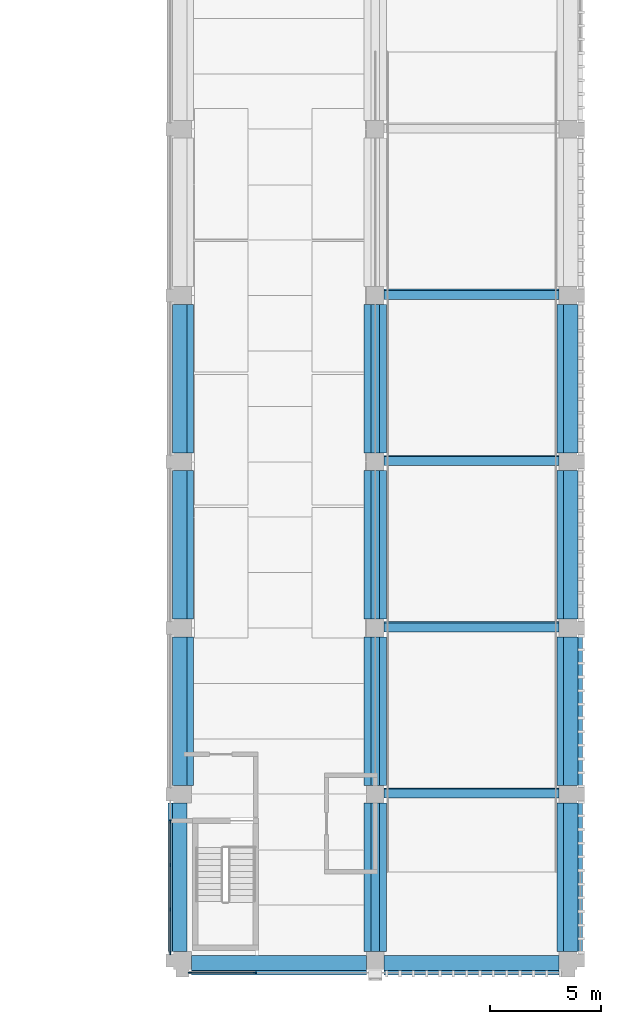
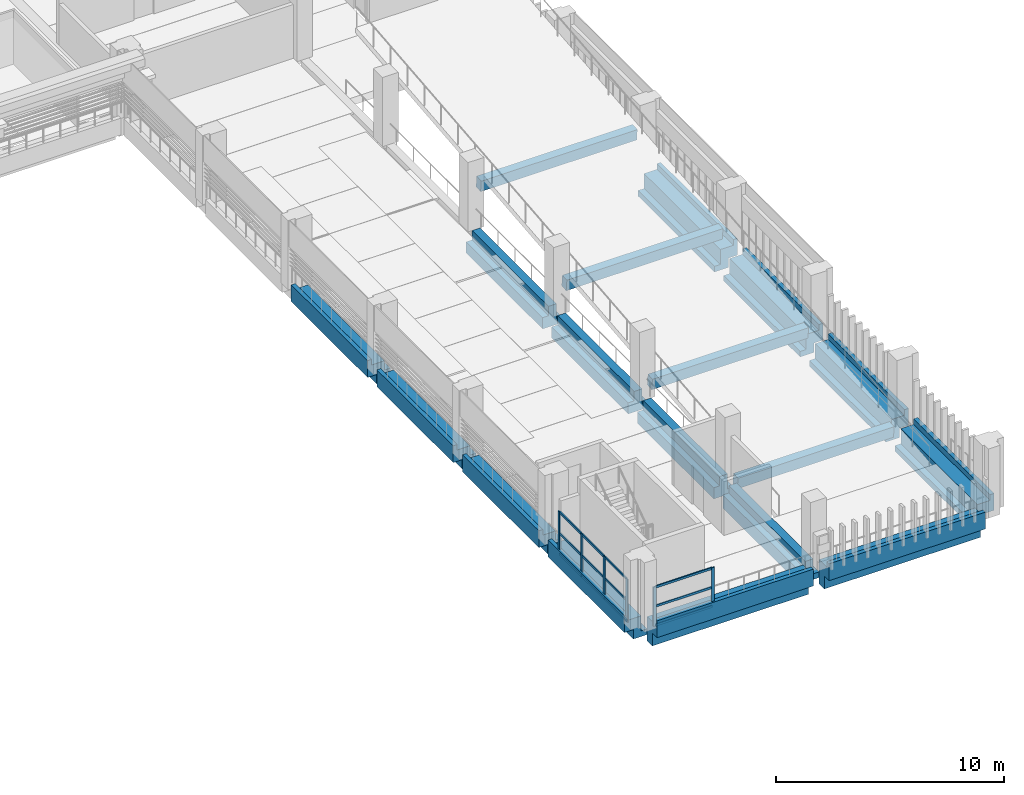
# One storey, part 15 of 71: 18 beams, 18 members, 2 elements without a shape of their own.
"""IFC4 building model written with IfcOpenShell, lengths in metres."""

from ifc_helpers import new_model, si_unit, direction, frame, origin, origin_2d, place, context, subcontext, project, spatial, polyline, rectangle, outline, extrude, material, layer, layer_set, material_profile, profile_set, type_object, element, aggregate, save


model = new_model("IFC4")

# Units and contexts
model_context = context("Model", 3, precision=1e-05, world=origin(), true_north=direction((0.0, 1.0)))
body_context = subcontext(model_context, "Body", "Model", "MODEL_VIEW")
ifc_project = project(units=[si_unit("LENGTHUNIT", "METRE"), si_unit("AREAUNIT", "SQUARE_METRE"), si_unit("VOLUMEUNIT", "CUBIC_METRE"), si_unit("PLANEANGLEUNIT", "RADIAN"), si_unit("MASSUNIT", "GRAM", prefix="KILO")], contexts=[model_context])

# Site, building, storey
site_placement = place(None, origin())
site = spatial("IfcSite", under=ifc_project, at=site_placement, CompositionType="ELEMENT")
building_placement = place(site_placement, origin())
building = spatial("IfcBuilding", under=site, at=building_placement, Name="Cour d'Honneur Mobility Palace", CompositionType="ELEMENT")
storey_placement = place(building_placement, frame((0.0, 0.0, 15.60009765625)))
storey = spatial("IfcBuildingStorey", under=building, at=storey_placement, Name="L04", CompositionType="ELEMENT", Elevation=15.60009765625)

# Curtain wall, members
ifc_material_1 = material(Name="Aluminium and glass", Category="aluminium")
ifc_layer = layer(ifc_material_1, 0.10009765625)
ifc_layer_set = layer_set([ifc_layer], Name="Aluminium and glass")
curtain_wall_type = type_object("IfcCurtainWallType", Name="Curtain wall run", PredefinedType="NOTDEFINED", material=ifc_layer_set)
curtain_wall_1_placement = place(storey_placement, origin())
curtain_wall_1 = element("IfcCurtainWall", 1, at=curtain_wall_1_placement, inside=storey, type_object=curtain_wall_type, Name="Curtain wall CW-141", PredefinedType="NOTDEFINED")
ifc_material_2 = material(Name="Aluminium", Category="aluminium")
ifc_material_profile_1 = material_profile(ifc_material_2, rectangle(XDim=0.06005859375, YDim=0.159912109375, at=origin_2d()), Name="Curtain wall mullion")
ifc_profile_set_1 = profile_set([ifc_material_profile_1], Name="Aluminium")
member_type_1 = type_object("IfcMemberType", Name="Curtain wall mullion", PredefinedType="MULLION", material=ifc_profile_set_1)
member_1_placement = place(storey_placement, frame((144.35009765625, 6.27001953125, 0.0), z_axis=(0.0, 0.0, 1.0), x_axis=(1.0, 0.0, 0.0)))
member_1 = element("IfcMember", 2, at=member_1_placement, type_object=member_type_1, Name="CW-141 mullion 1", PredefinedType="MULLION", context=body_context, shape_type="SweptSolid", body=[
    extrude(rectangle(XDim=0.06005859375, YDim=0.159912109375, at=origin_2d()), origin(), (0.0, 0.0, 1.0), 2.2998046875),
])
member_2_placement = place(storey_placement, frame((144.35009765625, 4.300048828125, 0.0), z_axis=(0.0, 0.0, 1.0), x_axis=(1.0, 0.0, 0.0)))
member_2 = element("IfcMember", 3, at=member_2_placement, type_object=member_type_1, Name="CW-141 mullion 2", PredefinedType="MULLION", context=body_context, shape_type="SweptSolid", body=[
    extrude(rectangle(XDim=0.06005859375, YDim=0.159912109375, at=origin_2d()), origin(), (0.0, 0.0, 1.0), 2.2998046875),
])
member_3_placement = place(storey_placement, frame((144.35009765625, 2.300048828125, 0.0), z_axis=(0.0, 0.0, 1.0), x_axis=(1.0, 0.0, 0.0)))
member_3 = element("IfcMember", 4, at=member_3_placement, type_object=member_type_1, Name="CW-141 mullion 3", PredefinedType="MULLION", context=body_context, shape_type="SweptSolid", body=[
    extrude(rectangle(XDim=0.06005859375, YDim=0.159912109375, at=origin_2d()), origin(), (0.0, 0.0, 1.0), 2.2998046875),
])
member_4_placement = place(storey_placement, frame((144.35009765625, 0.330078125, 0.0), z_axis=(0.0, 0.0, 1.0), x_axis=(1.0, 0.0, 0.0)))
member_4 = element("IfcMember", 5, at=member_4_placement, type_object=member_type_1, Name="CW-141 mullion 4", PredefinedType="MULLION", context=body_context, shape_type="SweptSolid", body=[
    extrude(rectangle(XDim=0.06005859375, YDim=0.159912109375, at=origin_2d()), origin(), (0.0, 0.0, 1.0), 2.2998046875),
])

curtain_wall_2_placement = place(storey_placement, origin())
curtain_wall_2 = element("IfcCurtainWall", 6, at=curtain_wall_2_placement, inside=storey, type_object=curtain_wall_type, Name="Curtain wall CW-142", PredefinedType="NOTDEFINED")
member_5_placement = place(storey_placement, frame((145.22998046875, -0.550048828125, 0.0), z_axis=(0.0, 0.0, 1.0), x_axis=(0.0, 1.0, 0.0)))
member_5 = element("IfcMember", 7, at=member_5_placement, type_object=member_type_1, Name="CW-142 mullion 1", PredefinedType="MULLION", context=body_context, shape_type="SweptSolid", body=[
    extrude(rectangle(XDim=0.06005859375, YDim=0.159912109375, at=origin_2d()), origin(), (0.0, 0.0, 1.0), 2.099853515625),
])
member_6_placement = place(storey_placement, frame((148.169921875, -0.550048828125, 0.0), z_axis=(0.0, 0.0, 1.0), x_axis=(0.0, 1.0, 0.0)))
member_6 = element("IfcMember", 8, at=member_6_placement, type_object=member_type_1, Name="CW-142 mullion 2", PredefinedType="MULLION", context=body_context, shape_type="SweptSolid", body=[
    extrude(rectangle(XDim=0.06005859375, YDim=0.159912109375, at=origin_2d()), origin(), (0.0, 0.0, 1.0), 2.099853515625),
])

# Member
ifc_material_3 = material(Name="Aluminium", Category="aluminium")
ifc_material_profile_2 = material_profile(ifc_material_3, rectangle(XDim=0.06005859375, YDim=0.1201171875, at=origin_2d()), Name="Curtain wall transom")
ifc_profile_set_2 = profile_set([ifc_material_profile_2], Name="Aluminium")
member_type_2 = type_object("IfcMemberType", Name="Curtain wall transom", PredefinedType="USERDEFINED", material=ifc_profile_set_2)
member_7_placement = place(storey_placement, frame((144.35009765625, 6.239990234375, 0.02978515625), z_axis=(0.0, -1.0, 0.0), x_axis=(1.0, 0.0, 0.0)))
member_7 = element("IfcMember", 9, at=member_7_placement, type_object=member_type_2, Name="CW-141 transom 1.1", ObjectType="TRANSOM", PredefinedType="USERDEFINED", context=body_context, shape_type="SweptSolid", body=[
    extrude(rectangle(XDim=0.06005859375, YDim=0.1201171875, at=origin_2d()), origin(), (0.0, 0.0, 1.0), 1.909912109375),
])

member_8_placement = place(storey_placement, frame((144.35009765625, 6.239990234375, 1.14990234375), z_axis=(0.0, -1.0, 0.0), x_axis=(1.0, 0.0, 0.0)))
member_8 = element("IfcMember", 10, at=member_8_placement, type_object=member_type_2, Name="CW-141 transom 1.2", ObjectType="TRANSOM", PredefinedType="USERDEFINED", context=body_context, shape_type="SweptSolid", body=[
    extrude(rectangle(XDim=0.06005859375, YDim=0.1201171875, at=origin_2d()), origin(), (0.0, 0.0, 1.0), 1.909912109375),
])

member_9_placement = place(storey_placement, frame((144.35009765625, 6.239990234375, 2.27001953125), z_axis=(0.0, -1.0, 0.0), x_axis=(1.0, 0.0, 0.0)))
member_9 = element("IfcMember", 11, at=member_9_placement, type_object=member_type_2, Name="CW-141 transom 1.3", ObjectType="TRANSOM", PredefinedType="USERDEFINED", context=body_context, shape_type="SweptSolid", body=[
    extrude(rectangle(XDim=0.06005859375, YDim=0.1201171875, at=origin_2d()), origin(), (0.0, 0.0, 1.0), 1.909912109375),
])

member_10_placement = place(storey_placement, frame((144.35009765625, 4.27001953125, 0.02978515625), z_axis=(0.0, -1.0, 0.0), x_axis=(1.0, 0.0, 0.0)))
member_10 = element("IfcMember", 12, at=member_10_placement, type_object=member_type_2, Name="CW-141 transom 2.1", ObjectType="TRANSOM", PredefinedType="USERDEFINED", context=body_context, shape_type="SweptSolid", body=[
    extrude(rectangle(XDim=0.06005859375, YDim=0.1201171875, at=origin_2d()), origin(), (0.0, 0.0, 1.0), 1.93994140625),
])

member_11_placement = place(storey_placement, frame((144.35009765625, 4.27001953125, 1.14990234375), z_axis=(0.0, -1.0, 0.0), x_axis=(1.0, 0.0, 0.0)))
member_11 = element("IfcMember", 13, at=member_11_placement, type_object=member_type_2, Name="CW-141 transom 2.2", ObjectType="TRANSOM", PredefinedType="USERDEFINED", context=body_context, shape_type="SweptSolid", body=[
    extrude(rectangle(XDim=0.06005859375, YDim=0.1201171875, at=origin_2d()), origin(), (0.0, 0.0, 1.0), 1.93994140625),
])

member_12_placement = place(storey_placement, frame((144.35009765625, 4.27001953125, 2.27001953125), z_axis=(0.0, -1.0, 0.0), x_axis=(1.0, 0.0, 0.0)))
member_12 = element("IfcMember", 14, at=member_12_placement, type_object=member_type_2, Name="CW-141 transom 2.3", ObjectType="TRANSOM", PredefinedType="USERDEFINED", context=body_context, shape_type="SweptSolid", body=[
    extrude(rectangle(XDim=0.06005859375, YDim=0.1201171875, at=origin_2d()), origin(), (0.0, 0.0, 1.0), 1.93994140625),
])

member_13_placement = place(storey_placement, frame((144.35009765625, 2.27001953125, 0.02978515625), z_axis=(0.0, -1.0, 0.0), x_axis=(1.0, 0.0, 0.0)))
member_13 = element("IfcMember", 15, at=member_13_placement, type_object=member_type_2, Name="CW-141 transom 3.1", ObjectType="TRANSOM", PredefinedType="USERDEFINED", context=body_context, shape_type="SweptSolid", body=[
    extrude(rectangle(XDim=0.06005859375, YDim=0.1201171875, at=origin_2d()), origin(), (0.0, 0.0, 1.0), 1.909912109375),
])

member_14_placement = place(storey_placement, frame((144.35009765625, 2.27001953125, 1.14990234375), z_axis=(0.0, -1.0, 0.0), x_axis=(1.0, 0.0, 0.0)))
member_14 = element("IfcMember", 16, at=member_14_placement, type_object=member_type_2, Name="CW-141 transom 3.2", ObjectType="TRANSOM", PredefinedType="USERDEFINED", context=body_context, shape_type="SweptSolid", body=[
    extrude(rectangle(XDim=0.06005859375, YDim=0.1201171875, at=origin_2d()), origin(), (0.0, 0.0, 1.0), 1.909912109375),
])

member_15_placement = place(storey_placement, frame((144.35009765625, 2.27001953125, 2.27001953125), z_axis=(0.0, -1.0, 0.0), x_axis=(1.0, 0.0, 0.0)))
member_15 = element("IfcMember", 17, at=member_15_placement, type_object=member_type_2, Name="CW-141 transom 3.3", ObjectType="TRANSOM", PredefinedType="USERDEFINED", context=body_context, shape_type="SweptSolid", body=[
    extrude(rectangle(XDim=0.06005859375, YDim=0.1201171875, at=origin_2d()), origin(), (0.0, 0.0, 1.0), 1.909912109375),
])

aggregate(curtain_wall_1, [member_1, member_2, member_3, member_4, member_7, member_8, member_9, member_10, member_11, member_12, member_13, member_14, member_15])

member_16_placement = place(storey_placement, frame((145.260009765625, -0.550048828125, 0.02978515625), z_axis=(1.0, 0.0, 0.0), x_axis=(0.0, 1.0, 0.0)))
member_16 = element("IfcMember", 18, at=member_16_placement, type_object=member_type_2, Name="CW-142 transom 1.1", ObjectType="TRANSOM", PredefinedType="USERDEFINED", context=body_context, shape_type="SweptSolid", body=[
    extrude(rectangle(XDim=0.06005859375, YDim=0.1201171875, at=origin_2d()), origin(), (0.0, 0.0, 1.0), 2.8798828125),
])

member_17_placement = place(storey_placement, frame((145.260009765625, -0.550048828125, 1.0498046875), z_axis=(1.0, 0.0, 0.0), x_axis=(0.0, 1.0, 0.0)))
member_17 = element("IfcMember", 19, at=member_17_placement, type_object=member_type_2, Name="CW-142 transom 1.2", ObjectType="TRANSOM", PredefinedType="USERDEFINED", context=body_context, shape_type="SweptSolid", body=[
    extrude(rectangle(XDim=0.06005859375, YDim=0.1201171875, at=origin_2d()), origin(), (0.0, 0.0, 1.0), 2.8798828125),
])

member_18_placement = place(storey_placement, frame((145.260009765625, -0.550048828125, 2.06982421875), z_axis=(1.0, 0.0, 0.0), x_axis=(0.0, 1.0, 0.0)))
member_18 = element("IfcMember", 20, at=member_18_placement, type_object=member_type_2, Name="CW-142 transom 1.3", ObjectType="TRANSOM", PredefinedType="USERDEFINED", context=body_context, shape_type="SweptSolid", body=[
    extrude(rectangle(XDim=0.06005859375, YDim=0.1201171875, at=origin_2d()), origin(), (0.0, 0.0, 1.0), 2.8798828125),
])

aggregate(curtain_wall_2, [member_5, member_6, member_16, member_17, member_18])

# Beams
ifc_material_4 = material(Name="Concrete C45", Category="concrete")
ifc_material_profile_3 = material_profile(ifc_material_4, outline(polyline([(0.22509765625, -1.300048828125), (0.22509765625, 0.0), (-0.22509765625, 0.0), (-0.449951171875, 0.0), (-0.449951171875, 0.300048828125), (-0.64990234375, 0.300048828125), (-0.64990234375, -0.60009765625), (-0.22509765625, -0.60009765625), (-0.22509765625, -1.300048828125), (0.22509765625, -1.300048828125)])), Name="Edge Spandrel Beam 450x1300 no ledge facade right")
ifc_profile_set_3 = profile_set([ifc_material_profile_3], Name="Concrete C45")
beam_type_1 = type_object("IfcBeamType", Name="Edge Spandrel Beam 450x1300 no ledge facade right", PredefinedType="SPANDREL", material=ifc_profile_set_3)
for number, where, z_axis, x_axis, name in (
    (21, (145.300048828125, 0.0, 0.0), (1.0, 0.0, 0.0), (0.0, 1.0, 0.0), "Precast beam B1 19-19A L04"),
    (22, (154.0, 0.0, 0.0), (1.0, 0.0, 0.0), (0.0, 1.0, 0.0), "Precast beam B1 19A-20 L04"),
):
    element("IfcBeam", number, at=place(storey_placement, frame(where, z_axis=z_axis, x_axis=x_axis)), inside=storey, type_object=beam_type_1, Name=name, PredefinedType="SPANDREL", context=body_context, shape_type="SweptSolid", body=[
        extrude(outline(polyline([(0.22509765625, -1.300048828125), (0.22509765625, 0.0), (-0.22509765625, 0.0), (-0.449951171875, 0.0), (-0.449951171875, 0.300048828125), (-0.64990234375, 0.300048828125), (-0.64990234375, -0.60009765625), (-0.22509765625, -0.60009765625), (-0.22509765625, -1.300048828125), (0.22509765625, -1.300048828125)])), origin(), (0.0, 0.0, 1.0), 7.89990234375),
    ])
ifc_material_5 = material(Name="Concrete C45", Category="concrete")
ifc_material_profile_4 = material_profile(ifc_material_5, outline(polyline([(0.5, -1.10009765625), (0.5, -0.5), (0.199951171875, -0.5), (0.199951171875, 0.0), (-0.199951171875, 0.0), (-0.199951171875, -0.800048828125), (-0.5, -0.800048828125), (-0.5, -1.10009765625), (0.5, -1.10009765625)])), Name="Inverted Tee Beam 400x1100 ledges 600/300 plain")
ifc_profile_set_4 = profile_set([ifc_material_profile_4], Name="Concrete C45")
beam_type_2 = type_object("IfcBeamType", Name="Inverted Tee Beam 400x1100 ledges 600/300 plain", PredefinedType="T_BEAM", material=ifc_profile_set_4)
for number, where, z_axis, x_axis, name in (
    (23, (153.60009765625, 7.89990234375, 0.0), (0.0, 1.0, 0.0), (-1.0, 0.0, 0.0), "Precast beam B19 B-C L04"),
    (24, (153.60009765625, 15.39990234375, 0.0), (0.0, 1.0, 0.0), (-1.0, 0.0, 0.0), "Precast beam B19 C-D L04"),
    (25, (153.60009765625, 22.89990234375, 0.0), (0.0, 1.0, 0.0), (-1.0, 0.0, 0.0), "Precast beam B19 D-E L04"),
):
    element("IfcBeam", number, at=place(storey_placement, frame(where, z_axis=z_axis, x_axis=x_axis)), inside=storey, type_object=beam_type_2, Name=name, PredefinedType="T_BEAM", context=body_context, shape_type="SweptSolid", body=[
        extrude(outline(polyline([(0.5, -1.10009765625), (0.5, -0.5), (0.199951171875, -0.5), (0.199951171875, 0.0), (-0.199951171875, 0.0), (-0.199951171875, -0.800048828125), (-0.5, -0.800048828125), (-0.5, -1.10009765625), (0.5, -1.10009765625)])), origin(), (0.0, 0.0, 1.0), 6.7001953125),
    ])
ifc_material_6 = material(Name="Concrete C45", Category="concrete")
ifc_material_profile_5 = material_profile(ifc_material_6, outline(polyline([(0.5, -1.10009765625), (0.5, -0.39990234375), (0.199951171875, -0.39990234375), (0.199951171875, 0.0), (-0.199951171875, 0.0), (-0.199951171875, -0.800048828125), (-0.5, -0.800048828125), (-0.5, -1.10009765625), (0.5, -1.10009765625)])), Name="Inverted Tee Beam 400x1100 ledges 700/300 plain")
ifc_profile_set_5 = profile_set([ifc_material_profile_5], Name="Concrete C45")
beam_type_3 = type_object("IfcBeamType", Name="Inverted Tee Beam 400x1100 ledges 700/300 plain", PredefinedType="T_BEAM", material=ifc_profile_set_5)
beam_1_placement = place(storey_placement, frame((153.60009765625, 0.39990234375, 0.0), z_axis=(0.0, 1.0, 0.0), x_axis=(-1.0, 0.0, 0.0)))
element("IfcBeam", 26, at=beam_1_placement, inside=storey, type_object=beam_type_3, Name="Precast beam B18 A-B L04", PredefinedType="T_BEAM", context=body_context, shape_type="SweptSolid", body=[
    extrude(outline(polyline([(0.5, -1.10009765625), (0.5, -0.39990234375), (0.199951171875, -0.39990234375), (0.199951171875, 0.0), (-0.199951171875, 0.0), (-0.199951171875, -0.800048828125), (-0.5, -0.800048828125), (-0.5, -1.10009765625), (0.5, -1.10009765625)])), origin(), (0.0, 0.0, 1.0), 6.7001953125),
])
ifc_material_7 = material(Name="Concrete C45", Category="concrete")
ifc_material_profile_6 = material_profile(ifc_material_7, outline(polyline([(0.5, -1.10009765625), (0.5, -0.800048828125), (0.199951171875, -0.800048828125), (0.199951171875, 0.0), (-0.199951171875, 0.0), (-0.449951171875, 0.0), (-0.449951171875, 0.300048828125), (-0.64990234375, 0.300048828125), (-0.64990234375, -0.60009765625), (-0.199951171875, -0.60009765625), (-0.199951171875, -1.10009765625), (0.5, -1.10009765625)])), Name="Ledger Beam 400x1100 ledge left 300 facade right")
ifc_profile_set_6 = profile_set([ifc_material_profile_6], Name="Concrete C45")
beam_type_4 = type_object("IfcBeamType", Name="Ledger Beam 400x1100 ledge left 300 facade right", PredefinedType="BEAM", material=ifc_profile_set_6)
for number, where, z_axis, x_axis, name in (
    (27, (162.300048828125, 0.39990234375, 0.0), (0.0, 1.0, 0.0), (-1.0, 0.0, 0.0), "Precast beam B3 A-B L04"),
    (28, (162.300048828125, 7.89990234375, 0.0), (0.0, 1.0, 0.0), (-1.0, 0.0, 0.0), "Precast beam B3 B-C L04"),
    (29, (162.300048828125, 15.39990234375, 0.0), (0.0, 1.0, 0.0), (-1.0, 0.0, 0.0), "Precast beam B3 C-D L04"),
    (30, (162.300048828125, 22.89990234375, 0.0), (0.0, 1.0, 0.0), (-1.0, 0.0, 0.0), "Precast beam B3 D-E L04"),
):
    element("IfcBeam", number, at=place(storey_placement, frame(where, z_axis=z_axis, x_axis=x_axis)), inside=storey, type_object=beam_type_4, Name=name, PredefinedType="BEAM", context=body_context, shape_type="SweptSolid", body=[
        extrude(outline(polyline([(0.5, -1.10009765625), (0.5, -0.800048828125), (0.199951171875, -0.800048828125), (0.199951171875, 0.0), (-0.199951171875, 0.0), (-0.449951171875, 0.0), (-0.449951171875, 0.300048828125), (-0.64990234375, 0.300048828125), (-0.64990234375, -0.60009765625), (-0.199951171875, -0.60009765625), (-0.199951171875, -1.10009765625), (0.5, -1.10009765625)])), origin(), (0.0, 0.0, 1.0), 6.7001953125),
    ])
ifc_material_8 = material(Name="Concrete C45", Category="concrete")
ifc_material_profile_7 = material_profile(ifc_material_8, outline(polyline([(0.199951171875, -1.10009765625), (0.199951171875, -0.60009765625), (0.64990234375, -0.60009765625), (0.64990234375, 0.300048828125), (0.449951171875, 0.300048828125), (0.449951171875, 0.0), (0.199951171875, 0.0), (-0.199951171875, 0.0), (-0.199951171875, -0.800048828125), (-0.5, -0.800048828125), (-0.5, -1.10009765625), (0.199951171875, -1.10009765625)])), Name="Ledger Beam 400x1100 ledge right 300 facade left")
ifc_profile_set_7 = profile_set([ifc_material_profile_7], Name="Concrete C45")
beam_type_5 = type_object("IfcBeamType", Name="Ledger Beam 400x1100 ledge right 300 facade left", PredefinedType="BEAM", material=ifc_profile_set_7)
beam_2_placement = place(storey_placement, frame((144.89990234375, 0.39990234375, 0.0), z_axis=(0.0, 1.0, 0.0), x_axis=(-1.0, 0.0, 0.0)))
element("IfcBeam", 31, at=beam_2_placement, inside=storey, type_object=beam_type_5, Name="Precast beam B6 A-B L04", PredefinedType="BEAM", context=body_context, shape_type="SweptSolid", body=[
    extrude(outline(polyline([(0.199951171875, -1.10009765625), (0.199951171875, -0.60009765625), (0.64990234375, -0.60009765625), (0.64990234375, 0.300048828125), (0.449951171875, 0.300048828125), (0.449951171875, 0.0), (0.199951171875, 0.0), (-0.199951171875, 0.0), (-0.199951171875, -0.800048828125), (-0.5, -0.800048828125), (-0.5, -1.10009765625), (0.199951171875, -1.10009765625)])), origin(), (0.0, 0.0, 1.0), 6.7001953125),
])
ifc_material_9 = material(Name="Concrete C45", Category="concrete")
ifc_material_profile_8 = material_profile(ifc_material_9, outline(polyline([(0.199951171875, -1.10009765625), (0.199951171875, -0.60009765625), (0.64990234375, -0.60009765625), (0.64990234375, 0.300048828125), (0.449951171875, 0.300048828125), (0.449951171875, 0.0), (0.199951171875, 0.0), (-0.199951171875, 0.0), (-0.199951171875, -0.5), (-0.5, -0.5), (-0.5, -1.10009765625), (0.199951171875, -1.10009765625)])), Name="Ledger Beam 400x1100 ledge right 600 facade left")
ifc_profile_set_8 = profile_set([ifc_material_profile_8], Name="Concrete C45")
beam_type_6 = type_object("IfcBeamType", Name="Ledger Beam 400x1100 ledge right 600 facade left", PredefinedType="BEAM", material=ifc_profile_set_8)
for number, where, z_axis, x_axis, name in (
    (32, (144.89990234375, 7.89990234375, 0.0), (0.0, 1.0, 0.0), (-1.0, 0.0, 0.0), "Precast beam B15 B-C L04"),
    (33, (144.89990234375, 15.39990234375, 0.0), (0.0, 1.0, 0.0), (-1.0, 0.0, 0.0), "Precast beam B15 C-D L04"),
    (34, (144.89990234375, 22.89990234375, 0.0), (0.0, 1.0, 0.0), (-1.0, 0.0, 0.0), "Precast beam B15 D-E L04"),
):
    element("IfcBeam", number, at=place(storey_placement, frame(where, z_axis=z_axis, x_axis=x_axis)), inside=storey, type_object=beam_type_6, Name=name, PredefinedType="BEAM", context=body_context, shape_type="SweptSolid", body=[
        extrude(outline(polyline([(0.199951171875, -1.10009765625), (0.199951171875, -0.60009765625), (0.64990234375, -0.60009765625), (0.64990234375, 0.300048828125), (0.449951171875, 0.300048828125), (0.449951171875, 0.0), (0.199951171875, 0.0), (-0.199951171875, 0.0), (-0.199951171875, -0.5), (-0.5, -0.5), (-0.5, -1.10009765625), (0.199951171875, -1.10009765625)])), origin(), (0.0, 0.0, 1.0), 6.7001953125),
    ])
ifc_material_10 = material(Name="Concrete C40", Category="concrete")
ifc_material_profile_9 = material_profile(ifc_material_10, rectangle(XDim=0.39990234375, YDim=0.60009765625, at=origin_2d()), Name="Ramp cross beam 400x600")
ifc_profile_set_9 = profile_set([ifc_material_profile_9], Name="Concrete C40")
beam_type_7 = type_object("IfcBeamType", Name="Ramp cross beam 400x600", PredefinedType="BEAM", material=ifc_profile_set_9)
for number, where, z_axis, x_axis, name in (
    (35, (161.89990234375, 7.559814453125, -0.2470703125), (-1.0, 0.0, 0.0), (0.0, -0.995037190449, -0.099503716633), "Ramp cross beam SE.R4-1"),
    (36, (161.89990234375, 15.059814453125, 0.5029296875), (-1.0, 0.0, 0.0), (0.0, -0.995037190449, -0.099503716633), "Ramp cross beam SE.R4-2"),
    (37, (161.89990234375, 22.559814453125, 1.2529296875), (-1.0, 0.0, 0.0), (0.0, -0.995037190449, -0.099503716633), "Ramp cross beam SE.R4-3"),
    (38, (161.89990234375, 30.059814453125, 2.0029296875), (-1.0, 0.0, 0.0), (0.0, -0.995037190449, -0.099503716633), "Ramp cross beam SE.R4-4"),
):
    element("IfcBeam", number, at=place(storey_placement, frame(where, z_axis=z_axis, x_axis=x_axis)), inside=storey, type_object=beam_type_7, Name=name, PredefinedType="BEAM", context=body_context, shape_type="SweptSolid", body=[
        extrude(rectangle(XDim=0.39990234375, YDim=0.60009765625, at=origin_2d()), origin(), (0.0, 0.0, 1.0), 7.89990234375),
    ])

save(model, "model.ifc")
